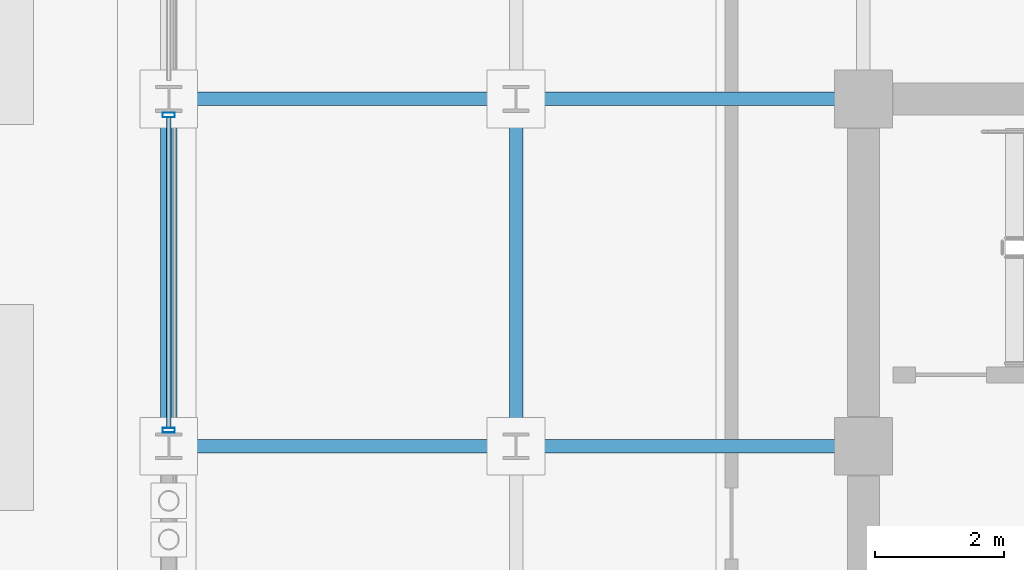
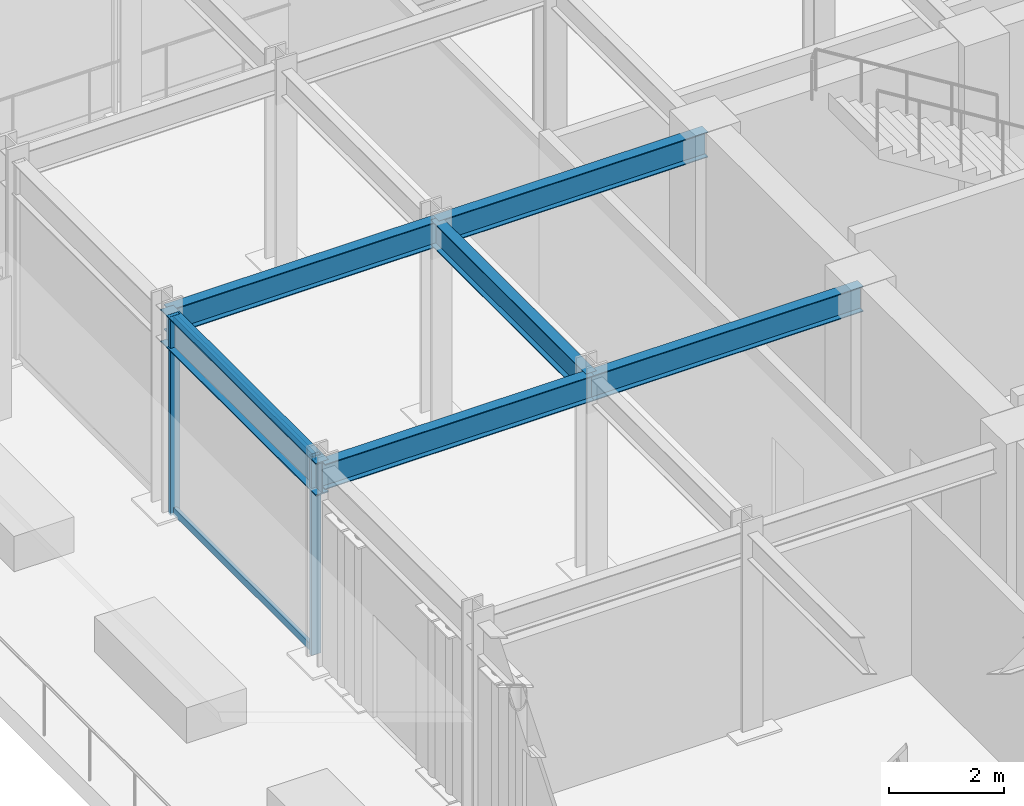
# One storey, part 5 of 22: 6 beams, 4 members, 1 element without a shape of its own.
"""IFC4 building model written with IfcOpenShell, lengths in metres."""

from ifc_helpers import new_model, si_unit, direction, frame, origin, origin_2d, place, context, subcontext, project, spatial, hollow_rectangle, i_section, extrude, material, layer, layer_set, material_profile, profile_set, type_object, element, aggregate, save


model = new_model("IFC4")

# Units and contexts
model_context = context("Model", 3, precision=1e-05, world=origin(), true_north=direction((0.0, 1.0)))
body_context = subcontext(model_context, "Body", "Model", "MODEL_VIEW")
ifc_project = project(units=[si_unit("LENGTHUNIT", "METRE"), si_unit("AREAUNIT", "SQUARE_METRE"), si_unit("VOLUMEUNIT", "CUBIC_METRE"), si_unit("PLANEANGLEUNIT", "RADIAN"), si_unit("MASSUNIT", "GRAM", prefix="KILO")], contexts=[model_context])

# Site, building, storey
site_placement = place(None, origin())
site = spatial("IfcSite", under=ifc_project, at=site_placement, CompositionType="ELEMENT")
building_placement = place(site_placement, origin())
building = spatial("IfcBuilding", under=site, at=building_placement, Name="Surkhivell Harbour Commons", CompositionType="ELEMENT")
storey_placement = place(building_placement, frame((0.0, 0.0, 337.5)))
storey = spatial("IfcBuildingStorey", under=building, at=storey_placement, Name="L88", CompositionType="ELEMENT", Elevation=337.5)

# Beams
ifc_material_1 = material(Name="Steel S355", Category="steel")
ifc_material_profile_1 = material_profile(ifc_material_1, i_section(OverallWidth=0.2099609375, OverallDepth=0.537109375, WebThickness=0.0107421875, FlangeThickness=0.017333984375, at=origin_2d()), Name="UB533x210x101")
ifc_profile_set_1 = profile_set([ifc_material_profile_1], Name="Steel S355")
beam_type_1 = type_object("IfcBeamType", Name="BM-GRD-533B", PredefinedType="BEAM", material=ifc_profile_set_1)
for number, where, z_axis, x_axis, name in (
    (1, (-21.60009765625, 5.39990234375, 3.951416015625), (1.0, 0.0, 0.0), (0.0, 1.0, 0.0), "L88 Floor Girder (-21.6,5.4)"),
    (2, (-21.60009765625, 10.800048828125, 3.951416015625), (1.0, 0.0, 0.0), (0.0, 1.0, 0.0), "L88 Floor Girder (-21.6,10.8)"),
    (3, (-16.199951171875, 5.39990234375, 3.951416015625), (0.0, 1.0, 0.0), (-1.0, 0.0, 0.0), "L88 Floor Girder (-16.2,5.4)"),
):
    element("IfcBeam", number, at=place(storey_placement, frame(where, z_axis=z_axis, x_axis=x_axis)), inside=storey, type_object=beam_type_1, Name=name, PredefinedType="BEAM", context=body_context, shape_type="SweptSolid", body=[
        extrude(i_section(OverallWidth=0.2099609375, OverallDepth=0.537109375, WebThickness=0.0107421875, FlangeThickness=0.017333984375, at=origin_2d()), origin(), (0.0, 0.0, 1.0), 5.400146484375),
    ])
for number, where, z_axis, x_axis, name in (
    (4, (-16.199951171875, 5.39990234375, 3.951416015625), (1.0, 0.0, 0.0), (0.0, 1.0, 0.0), "L88 Floor Girder (-16.2,5.4)"),
    (5, (-16.199951171875, 10.800048828125, 3.951416015625), (1.0, 0.0, 0.0), (0.0, 1.0, 0.0), "L88 Floor Girder (-16.2,10.8)"),
):
    element("IfcBeam", number, at=place(storey_placement, frame(where, z_axis=z_axis, x_axis=x_axis)), inside=storey, type_object=beam_type_1, Name=name, PredefinedType="BEAM", context=body_context, shape_type="SweptSolid", body=[
        extrude(i_section(OverallWidth=0.2099609375, OverallDepth=0.537109375, WebThickness=0.0107421875, FlangeThickness=0.017333984375, at=origin_2d()), origin(), (0.0, 0.0, 1.0), 5.39990234375),
    ])
ifc_material_profile_2 = material_profile(ifc_material_1, i_section(OverallWidth=0.256103515625, OverallDepth=0.693115234375, WebThickness=0.014404296875, FlangeThickness=0.023681640625, at=origin_2d()), Name="UB686x254x170")
ifc_profile_set_2 = profile_set([ifc_material_profile_2], Name="Steel S355")
beam_type_2 = type_object("IfcBeamType", Name="BM-SPN-686", PredefinedType="SPANDREL", material=ifc_profile_set_2)
beam_placement = place(storey_placement, frame((-21.60009765625, 5.39990234375, 3.87353515625), z_axis=(0.0, 1.0, 0.0), x_axis=(-1.0, 0.0, 0.0)))
element("IfcBeam", 6, at=beam_placement, inside=storey, type_object=beam_type_2, Name="L88 Tube Spandrel (-21.6,5.4)", PredefinedType="SPANDREL", context=body_context, shape_type="SweptSolid", body=[
    extrude(i_section(OverallWidth=0.256103515625, OverallDepth=0.693115234375, WebThickness=0.014404296875, FlangeThickness=0.023681640625, at=origin_2d()), origin(), (0.0, 0.0, 1.0), 5.400146484375),
])

# Curtain wall, members
ifc_material_2 = material(Name="Anodised pale-metal aluminium and insulated glazing", Category="aluminium")
ifc_layer = layer(ifc_material_2, 0.22998046875)
ifc_layer_set = layer_set([ifc_layer], Name="Anodised pale-metal aluminium and insulated glazing")
curtain_wall_type = type_object("IfcCurtainWallType", Name="CW-SYS-CRN", PredefinedType="NOTDEFINED", material=ifc_layer_set)
curtain_wall_placement = place(storey_placement, origin())
curtain_wall = element("IfcCurtainWall", 7, at=curtain_wall_placement, inside=storey, type_object=curtain_wall_type, Name="L88 Curtain Wall CW-L88-C03S2", PredefinedType="NOTDEFINED")
ifc_material_3 = material(Name="Anodised pale-metal aluminium alloy 6063-T6", Category="aluminium")
ifc_material_profile_3 = material_profile(ifc_material_3, hollow_rectangle(XDim=0.074951171875, YDim=0.18994140625, WallThickness=0.00390625, at=origin_2d()), Name="ALU-MULL-75x190")
ifc_profile_set_3 = profile_set([ifc_material_profile_3], Name="Anodised pale-metal aluminium alloy 6063-T6")
member_type_1 = type_object("IfcMemberType", Name="CWM-190", PredefinedType="MULLION", material=ifc_profile_set_3)
member_1_placement = place(storey_placement, frame((-21.60009765625, 10.550537109375, 0.0), z_axis=(0.0, 0.0, 1.0), x_axis=(0.0, -1.0, 0.0)))
member_1 = element("IfcMember", 8, at=member_1_placement, type_object=member_type_1, Name="CW-CRN mullion 3", PredefinedType="MULLION", context=body_context, shape_type="SweptSolid", body=[
    extrude(hollow_rectangle(XDim=0.074951171875, YDim=0.18994140625, WallThickness=0.00390625, at=origin_2d()), origin(), (0.0, 0.0, 1.0), 4.219970703125),
])
member_2_placement = place(storey_placement, frame((-21.60009765625, 5.6494140625, 0.0), z_axis=(0.0, 0.0, 1.0), x_axis=(0.0, -1.0, 0.0)))
member_2 = element("IfcMember", 9, at=member_2_placement, type_object=member_type_1, Name="CW-CRN mullion 4", PredefinedType="MULLION", context=body_context, shape_type="SweptSolid", body=[
    extrude(hollow_rectangle(XDim=0.074951171875, YDim=0.18994140625, WallThickness=0.00390625, at=origin_2d()), origin(), (0.0, 0.0, 1.0), 4.219970703125),
])
ifc_material_profile_4 = material_profile(ifc_material_3, hollow_rectangle(XDim=0.074951171875, YDim=0.14990234375, WallThickness=0.00341796875, at=origin_2d()), Name="ALU-TRAN-75x150")
ifc_profile_set_4 = profile_set([ifc_material_profile_4], Name="Anodised pale-metal aluminium alloy 6063-T6")
member_type_2 = type_object("IfcMemberType", Name="CWT-150", PredefinedType="USERDEFINED", material=ifc_profile_set_4)
member_3_placement = place(storey_placement, frame((-21.60009765625, 10.512939453125, 0.074951171875), z_axis=(0.0, -1.0, 0.0), x_axis=(1.0, 0.0, 0.0)))
member_3 = element("IfcMember", 10, at=member_3_placement, type_object=member_type_2, Name="CW-CRN transom 3.1", ObjectType="TRANSOM", PredefinedType="USERDEFINED", context=body_context, shape_type="SweptSolid", body=[
    extrude(hollow_rectangle(XDim=0.074951171875, YDim=0.14990234375, WallThickness=0.00341796875, at=origin_2d()), origin(), (0.0, 0.0, 1.0), 4.825927734375),
])
member_4_placement = place(storey_placement, frame((-21.60009765625, 10.512939453125, 4.14501953125), z_axis=(0.0, -1.0, 0.0), x_axis=(1.0, 0.0, 0.0)))
member_4 = element("IfcMember", 11, at=member_4_placement, type_object=member_type_2, Name="CW-CRN transom 3.2", ObjectType="TRANSOM", PredefinedType="USERDEFINED", context=body_context, shape_type="SweptSolid", body=[
    extrude(hollow_rectangle(XDim=0.074951171875, YDim=0.14990234375, WallThickness=0.00341796875, at=origin_2d()), origin(), (0.0, 0.0, 1.0), 4.825927734375),
])
aggregate(curtain_wall, [member_1, member_2, member_3, member_4])

save(model, "model.ifc")
